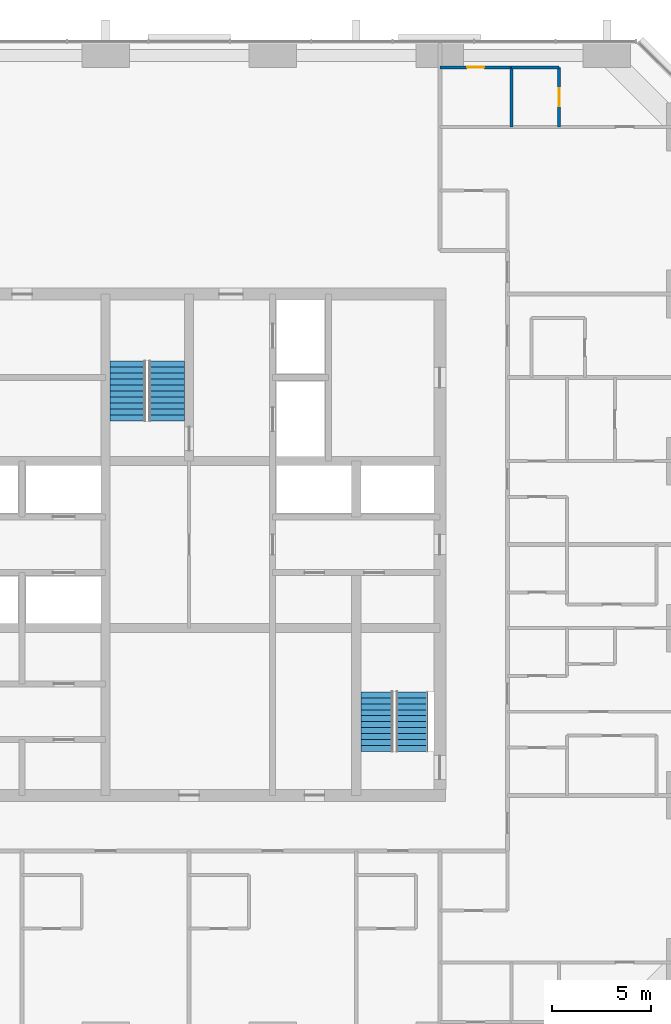
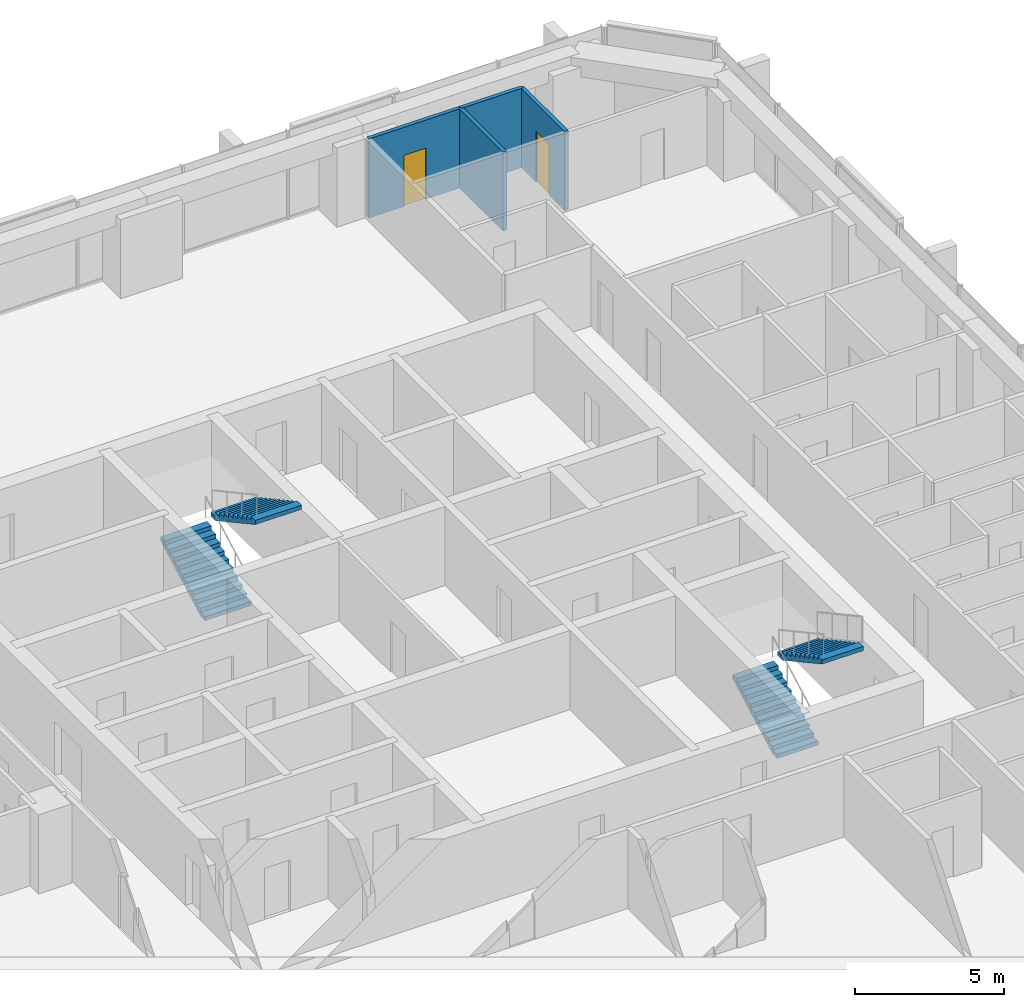
# One storey, part 12 of 13: 4 stair flights, 4 walls, 2 doors, 2 openings, 2 elements without a shape of their own.
"""IFC4 building model written with IfcOpenShell, lengths in metres."""

from ifc_helpers import new_model, si_unit, direction, frame, frame_2d, origin, place, context, subcontext, project, spatial, polyline, rectangle, outline, extrude, material, layer, layer_set, type_object, element, fill, aggregate, save


model = new_model("IFC4")

# Units and contexts
model_context = context("Model", 3, precision=1e-05, world=origin(), true_north=direction((0.0, 1.0)))
body_context = subcontext(model_context, "Body", "Model", "MODEL_VIEW")
ifc_project = project(units=[si_unit("LENGTHUNIT", "METRE"), si_unit("AREAUNIT", "SQUARE_METRE"), si_unit("VOLUMEUNIT", "CUBIC_METRE"), si_unit("PLANEANGLEUNIT", "RADIAN"), si_unit("MASSUNIT", "GRAM", prefix="KILO")], contexts=[model_context])

# Site, building, storey
site_placement = place(None, origin())
site = spatial("IfcSite", under=ifc_project, at=site_placement, CompositionType="ELEMENT")
building_placement = place(site_placement, origin())
building = spatial("IfcBuilding", under=site, at=building_placement, Name="Dunama Terrace Hotel", CompositionType="ELEMENT")
storey_placement = place(building_placement, frame((0.0, 0.0, 187.800048828125)))
storey = spatial("IfcBuildingStorey", under=building, at=storey_placement, Name="L48", CompositionType="ELEMENT", Elevation=187.800048828125)

# Wall, opening, door
ifc_material_1 = material(Name="Gypsum board partition", Category="masonry")
ifc_layer_1 = layer(ifc_material_1, 0.14990234375)
ifc_layer_set_1 = layer_set([ifc_layer_1], Name="Bathroom partition 150")
wall_type_1 = type_object("IfcWallType", Name="Bathroom partition 150", PredefinedType="PARTITIONING", material=ifc_layer_set_1)
wall_1_placement = place(storey_placement, frame((42.0, 53.39990234375, 0.0), z_axis=(0.0, 0.0, 1.0), x_axis=(1.0, 0.0, 0.0)))
wall_1 = element("IfcWall", 1, at=wall_1_placement, inside=storey, type_object=wall_type_1, Name="Bathroom partition 150 L48", PredefinedType="PARTITIONING", context=body_context, shape_type="SweptSolid", body=[
    extrude(rectangle(XDim=3.60009765625, YDim=0.14990234375, at=frame_2d((1.800048828125, 0.0))), origin(), (0.0, 0.0, 1.0), 3.25),
])
opening_1_placement = place(wall_1_placement, frame((1.375, 0.0, 0.0)))
opening_1 = element("IfcOpeningElement", 2, at=opening_1_placement, cuts=wall_1, Name="Opening L48-50-052", PredefinedType="OPENING", context=body_context, shape_type="SweptSolid", body=[
    extrude(rectangle(XDim=0.85009765625, YDim=2.10009765625, at=frame_2d((0.425048828125, 1.050048828125))), frame((0.0, 0.0849609375, 0.0), z_axis=(0.0, -1.0, 0.0), x_axis=(1.0, 0.0, 0.0)), (0.0, 0.0, 1.0), 0.169921875),
])
ifc_material_2 = material(Name="Timber door with steel frame", Category="steel")
door_type_1 = type_object("IfcDoorType", Name="Bathroom door 850", OperationType="SINGLE_SWING_LEFT", PredefinedType="DOOR", material=ifc_material_2)
door_1_placement = place(opening_1_placement, frame((0.85009765625, 0.0, 0.0), z_axis=(0.0, 0.0, 1.0), x_axis=(-1.0, 0.0, 0.0)))
door_1 = element("IfcDoor", 3, at=door_1_placement, inside=storey, type_object=door_type_1, Name="Door to en-suite bathroom L48-50-052, type D2", OperationType="SINGLE_SWING_RIGHT", OverallHeight=2.10009765625, OverallWidth=0.85009765625, PredefinedType="DOOR", context=body_context, shape_type="SweptSolid", body=[
    extrude(rectangle(XDim=0.85009765625, YDim=2.10009765625, at=frame_2d((0.425048828125, 1.050048828125))), frame((0.0, 0.025146484375, 0.0), z_axis=(0.0, -1.0, 0.0), x_axis=(1.0, 0.0, 0.0)), (0.0, 0.0, 1.0), 0.050048828125),
])
fill(opening_1, door_1)

# Wall
ifc_material_3 = material(Name="Gypsum board partition", Category="masonry")
ifc_layer_2 = layer(ifc_material_3, 0.14990234375)
ifc_layer_set_2 = layer_set([ifc_layer_2], Name="Room partition 150")
wall_type_2 = type_object("IfcWallType", Name="Room partition 150", PredefinedType="PARTITIONING", material=ifc_layer_set_2)
wall_2_placement = place(storey_placement, frame((45.60009765625, 50.39990234375, 0.0), z_axis=(0.0, 0.0, 1.0), x_axis=(0.0, 1.0, 0.0)))
element("IfcWall", 4, at=wall_2_placement, inside=storey, type_object=wall_type_2, Name="Room partition 150 L48", PredefinedType="PARTITIONING", context=body_context, shape_type="SweptSolid", body=[
    extrude(rectangle(XDim=3.0, YDim=0.14990234375, at=frame_2d((1.5, 0.0))), origin(), (0.0, 0.0, 1.0), 3.25),
])

# Wall, opening, door
wall_3_placement = place(storey_placement, frame((48.0, 50.39990234375, 0.0), z_axis=(0.0, 0.0, 1.0), x_axis=(0.0, 1.0, 0.0)))
wall_3 = element("IfcWall", 5, at=wall_3_placement, inside=storey, type_object=wall_type_2, Name="Room partition 150 L48", PredefinedType="PARTITIONING", context=body_context, shape_type="SweptSolid", body=[
    extrude(rectangle(XDim=3.0, YDim=0.14990234375, at=frame_2d((1.5, 0.0))), origin(), (0.0, 0.0, 1.0), 3.25),
])
opening_2_placement = place(wall_3_placement, frame((1.050048828125, 0.0, 0.0)))
opening_2 = element("IfcOpeningElement", 6, at=opening_2_placement, cuts=wall_3, Name="Opening L48-50-053", PredefinedType="OPENING", context=body_context, shape_type="SweptSolid", body=[
    extrude(rectangle(XDim=0.89990234375, YDim=2.10009765625, at=frame_2d((0.449951171875, 1.050048828125))), frame((0.0, 0.0849609375, 0.0), z_axis=(0.0, -1.0, 0.0), x_axis=(1.0, 0.0, 0.0)), (0.0, 0.0, 1.0), 0.169921875),
])
ifc_material_4 = material(Name="Timber door with steel frame", Category="steel")
door_type_2 = type_object("IfcDoorType", Name="Suite internal door 900", OperationType="SINGLE_SWING_LEFT", PredefinedType="DOOR", material=ifc_material_4)
door_2_placement = place(opening_2_placement, origin())
door_2 = element("IfcDoor", 7, at=door_2_placement, inside=storey, type_object=door_type_2, Name="Door to dressing room L48-50-053, type D16", OperationType="SINGLE_SWING_LEFT", OverallHeight=2.10009765625, OverallWidth=0.89990234375, PredefinedType="DOOR", context=body_context, shape_type="SweptSolid", body=[
    extrude(rectangle(XDim=0.89990234375, YDim=2.10009765625, at=frame_2d((0.449951171875, 1.050048828125))), frame((0.0, 0.02490234375, 0.0), z_axis=(0.0, -1.0, 0.0), x_axis=(1.0, 0.0, 0.0)), (0.0, 0.0, 1.0), 0.050048828125),
])
fill(opening_2, door_2)

# Wall
wall_4_placement = place(storey_placement, frame((45.60009765625, 53.39990234375, 0.0), z_axis=(0.0, 0.0, 1.0), x_axis=(1.0, 0.0, 0.0)))
element("IfcWall", 8, at=wall_4_placement, inside=storey, type_object=wall_type_2, Name="Room partition 150 L48", PredefinedType="PARTITIONING", context=body_context, shape_type="SweptSolid", body=[
    extrude(rectangle(XDim=2.39990234375, YDim=0.14990234375, at=frame_2d((1.199951171875, 0.0))), origin(), (0.0, 0.0, 1.0), 3.25),
])

# Stair, stair flights
ifc_material_5 = material(Name="Concrete C40/50", Category="concrete")
stair_type_1 = type_object("IfcStairType", Name="Stair ST1-3600-1800", PredefinedType="HALF_TURN_STAIR", material=ifc_material_5)
stair_1_placement = place(storey_placement, origin())
stair_1 = element("IfcStair", 9, at=stair_1_placement, inside=storey, type_object=stair_type_1, Name="Stair ST1 L48", PredefinedType="HALF_TURN_STAIR")
ifc_material_6 = material(Name="Concrete C40/50", Category="concrete")
stair_flight_type_1 = type_object("IfcStairFlightType", Name="Stair flight ST1-3600-1800", PredefinedType="STRAIGHT", material=ifc_material_6)
stair_flight_1_placement = place(storey_placement, frame((26.324951171875, 35.625, 0.0), z_axis=(0.0, 0.0, 1.0), x_axis=(0.0, 1.0, 0.0)))
stair_flight_1 = element("IfcStairFlight", 10, at=stair_flight_1_placement, type_object=stair_flight_type_1, Name="ST1 flight 1", NumberOfRisers=11, NumberOfTreads=10, PredefinedType="STRAIGHT", RiserHeight=0.163636364, TreadLength=0.3, context=body_context, shape_type="SweptSolid", body=[
    extrude(outline(polyline([(0.0, 0.0), (0.0, 0.16357421875), (0.300048828125, 0.16357421875), (0.300048828125, 0.327392578125), (0.60009765625, 0.327392578125), (0.60009765625, 0.490966796875), (0.89990234375, 0.490966796875), (0.89990234375, 0.654541015625), (1.199951171875, 0.654541015625), (1.199951171875, 0.818115234375), (1.5, 0.818115234375), (1.5, 0.98193359375), (1.800048828125, 0.98193359375), (1.800048828125, 1.1455078125), (2.10009765625, 1.1455078125), (2.10009765625, 1.30908203125), (2.39990234375, 1.30908203125), (2.39990234375, 1.47265625), (2.699951171875, 1.47265625), (2.699951171875, 1.636474609375), (3.0, 1.636474609375), (3.0, 1.800048828125), (3.0, 1.465576171875), (0.31298828125, 0.0), (0.0, 0.0)])), frame((0.0, 0.89990234375, 0.0), z_axis=(0.0, -1.0, 0.0), x_axis=(1.0, 0.0, 0.0)), (0.0, 0.0, 1.0), 1.800048828125),
])
stair_flight_2_placement = place(storey_placement, frame((28.27490234375, 38.625, 1.800048828125), z_axis=(0.0, 0.0, 1.0), x_axis=(0.0, -1.0, 0.0)))
stair_flight_2 = element("IfcStairFlight", 11, at=stair_flight_2_placement, type_object=stair_flight_type_1, Name="ST1 flight 2", NumberOfRisers=11, NumberOfTreads=10, PredefinedType="STRAIGHT", RiserHeight=0.163636364, TreadLength=0.3, context=body_context, shape_type="SweptSolid", body=[
    extrude(outline(polyline([(0.0, 0.0), (0.0, 0.16357421875), (0.300048828125, 0.16357421875), (0.300048828125, 0.327392578125), (0.60009765625, 0.327392578125), (0.60009765625, 0.490966796875), (0.89990234375, 0.490966796875), (0.89990234375, 0.654541015625), (1.199951171875, 0.654541015625), (1.199951171875, 0.818115234375), (1.5, 0.818115234375), (1.5, 0.98193359375), (1.800048828125, 0.98193359375), (1.800048828125, 1.1455078125), (2.10009765625, 1.1455078125), (2.10009765625, 1.30908203125), (2.39990234375, 1.30908203125), (2.39990234375, 1.47265625), (2.699951171875, 1.47265625), (2.699951171875, 1.636474609375), (3.0, 1.636474609375), (3.0, 1.800048828125), (3.0, 1.465576171875), (0.31298828125, 0.0), (0.0, 0.0)])), frame((0.0, 0.89990234375, 0.0), z_axis=(0.0, -1.0, 0.0), x_axis=(1.0, 0.0, 0.0)), (0.0, 0.0, 1.0), 1.800048828125),
])
aggregate(stair_1, [stair_flight_1, stair_flight_2])

ifc_material_7 = material(Name="Concrete C40/50", Category="concrete")
stair_type_2 = type_object("IfcStairType", Name="Stair ST2-3600-1600", PredefinedType="HALF_TURN_STAIR", material=ifc_material_7)
stair_2_placement = place(storey_placement, origin())
stair_2 = element("IfcStair", 12, at=stair_2_placement, inside=storey, type_object=stair_type_2, Name="Stair ST2 L48", PredefinedType="HALF_TURN_STAIR")
ifc_material_8 = material(Name="Concrete C40/50", Category="concrete")
stair_flight_type_2 = type_object("IfcStairFlightType", Name="Stair flight ST2-3600-1600", PredefinedType="STRAIGHT", material=ifc_material_8)
stair_flight_3_placement = place(storey_placement, frame((38.85009765625, 19.0, 0.0), z_axis=(0.0, 0.0, 1.0), x_axis=(0.0, 1.0, 0.0)))
stair_flight_3 = element("IfcStairFlight", 13, at=stair_flight_3_placement, type_object=stair_flight_type_2, Name="ST2 flight 1", NumberOfRisers=11, NumberOfTreads=10, PredefinedType="STRAIGHT", RiserHeight=0.163636364, TreadLength=0.3, context=body_context, shape_type="SweptSolid", body=[
    extrude(outline(polyline([(0.0, 0.0), (0.0, 0.16357421875), (0.300048828125, 0.16357421875), (0.300048828125, 0.327392578125), (0.60009765625, 0.327392578125), (0.60009765625, 0.490966796875), (0.89990234375, 0.490966796875), (0.89990234375, 0.654541015625), (1.199951171875, 0.654541015625), (1.199951171875, 0.818115234375), (1.5, 0.818115234375), (1.5, 0.98193359375), (1.800048828125, 0.98193359375), (1.800048828125, 1.1455078125), (2.10009765625, 1.1455078125), (2.10009765625, 1.30908203125), (2.39990234375, 1.30908203125), (2.39990234375, 1.47265625), (2.699951171875, 1.47265625), (2.699951171875, 1.636474609375), (3.0, 1.636474609375), (3.0, 1.800048828125), (3.0, 1.465576171875), (0.31298828125, 0.0), (0.0, 0.0)])), frame((0.0, 0.800048828125, 0.0), z_axis=(0.0, -1.0, 0.0), x_axis=(1.0, 0.0, 0.0)), (0.0, 0.0, 1.0), 1.60009765625),
])
stair_flight_4_placement = place(storey_placement, frame((40.60009765625, 22.0, 1.800048828125), z_axis=(0.0, 0.0, 1.0), x_axis=(0.0, -1.0, 0.0)))
stair_flight_4 = element("IfcStairFlight", 14, at=stair_flight_4_placement, type_object=stair_flight_type_2, Name="ST2 flight 2", NumberOfRisers=11, NumberOfTreads=10, PredefinedType="STRAIGHT", RiserHeight=0.163636364, TreadLength=0.3, context=body_context, shape_type="SweptSolid", body=[
    extrude(outline(polyline([(0.0, 0.0), (0.0, 0.16357421875), (0.300048828125, 0.16357421875), (0.300048828125, 0.327392578125), (0.60009765625, 0.327392578125), (0.60009765625, 0.490966796875), (0.89990234375, 0.490966796875), (0.89990234375, 0.654541015625), (1.199951171875, 0.654541015625), (1.199951171875, 0.818115234375), (1.5, 0.818115234375), (1.5, 0.98193359375), (1.800048828125, 0.98193359375), (1.800048828125, 1.1455078125), (2.10009765625, 1.1455078125), (2.10009765625, 1.30908203125), (2.39990234375, 1.30908203125), (2.39990234375, 1.47265625), (2.699951171875, 1.47265625), (2.699951171875, 1.636474609375), (3.0, 1.636474609375), (3.0, 1.800048828125), (3.0, 1.465576171875), (0.31298828125, 0.0), (0.0, 0.0)])), frame((0.0, 0.800048828125, 0.0), z_axis=(0.0, -1.0, 0.0), x_axis=(1.0, 0.0, 0.0)), (0.0, 0.0, 1.0), 1.60009765625),
])
aggregate(stair_2, [stair_flight_3, stair_flight_4])

save(model, "model.ifc")
